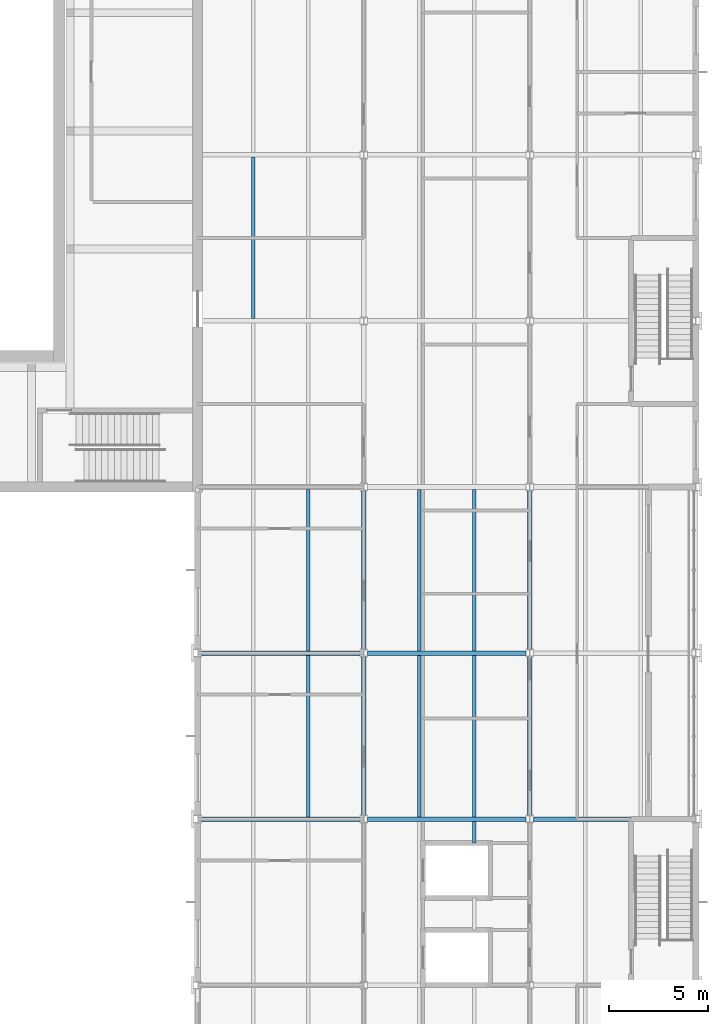
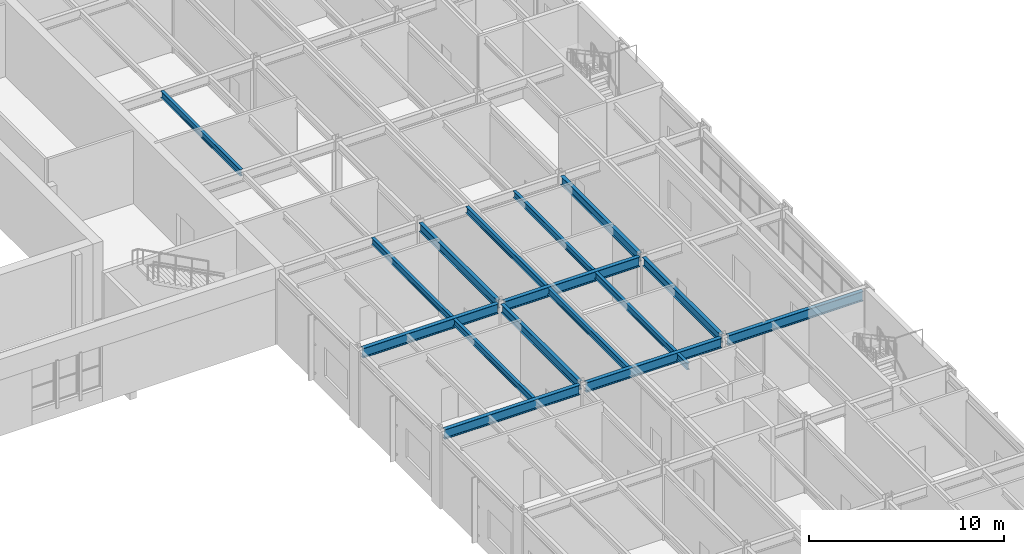
# One storey, part 27 of 127: 17 beams.
"""IFC4 building model written with IfcOpenShell, lengths in metres."""

from ifc_helpers import new_model, si_unit, direction, frame, origin, origin_2d, place, context, subcontext, project, spatial, i_section, extrude, material, material_profile, profile_set, type_object, element, save


model = new_model("IFC4")

# Units and contexts
model_context = context("Model", 3, precision=1e-05, world=origin(), true_north=direction((0.0, 1.0)))
body_context = subcontext(model_context, "Body", "Model", "MODEL_VIEW")
ifc_project = project(units=[si_unit("LENGTHUNIT", "METRE"), si_unit("AREAUNIT", "SQUARE_METRE"), si_unit("VOLUMEUNIT", "CUBIC_METRE"), si_unit("PLANEANGLEUNIT", "RADIAN"), si_unit("MASSUNIT", "GRAM", prefix="KILO")], contexts=[model_context])

# Site, building, storey
site_placement = place(None, origin())
site = spatial("IfcSite", under=ifc_project, at=site_placement, CompositionType="ELEMENT")
building_placement = place(site_placement, origin())
building = spatial("IfcBuilding", under=site, at=building_placement, Name="Ljudholm Concert House", CompositionType="ELEMENT")
storey_placement = place(building_placement, frame((0.0, 0.0, 5.39990234375)))
storey = spatial("IfcBuildingStorey", under=building, at=storey_placement, Name="L01", CompositionType="ELEMENT", Elevation=5.39990234375)

# Beams
ifc_material_1 = material(Name="Steel ASTM A992", Category="steel")
ifc_material_profile_1 = material_profile(ifc_material_1, i_section(OverallWidth=0.177734375, OverallDepth=0.406494140625, WebThickness=0.0078125, FlangeThickness=0.012939453125, FilletRadius=0.01025390625, at=origin_2d()), Name="W16X40")
ifc_profile_set_1 = profile_set([ifc_material_profile_1], Name="Steel ASTM A992")
beam_type_1 = type_object("IfcBeamType", Name="STEEL BEAM W16X40", PredefinedType="BEAM", material=ifc_profile_set_1)
for number, where, z_axis, x_axis, name in (
    (1, (102.0, 37.714599609375, 4.4169921875), (0.0, 1.0, 0.0), (-1.0, 0.0, 0.0), "Beam BOH-L02-sb-102-37.6"),
    (2, (102.0, 46.114501953125, 4.4169921875), (0.0, 1.0, 0.0), (-1.0, 0.0, 0.0), "Beam BOH-L02-sb-102-46"),
    (3, (99.199951171875, 62.91455078125, 4.4169921875), (0.0, 1.0, 0.0), (-1.0, 0.0, 0.0), "Beam BOH-L02-sb-99.2-62.8"),
):
    element("IfcBeam", number, at=place(storey_placement, frame(where, z_axis=z_axis, x_axis=x_axis)), inside=storey, type_object=beam_type_1, Name=name, PredefinedType="BEAM", context=body_context, shape_type="SweptSolid", body=[
        extrude(i_section(OverallWidth=0.177734375, OverallDepth=0.406494140625, WebThickness=0.0078125, FlangeThickness=0.012939453125, FilletRadius=0.01025390625, at=origin_2d()), origin(), (0.0, 0.0, 1.0), 8.1708984375),
    ])
beam_1_placement = place(storey_placement, frame((110.39990234375, 36.39990234375, 4.4169921875), z_axis=(0.0, 1.0, 0.0), x_axis=(-1.0, 0.0, 0.0)))
element("IfcBeam", 4, at=beam_1_placement, inside=storey, type_object=beam_type_1, Name="Beam BOH-L02-sb-110.4-29.2-2", PredefinedType="BEAM", context=body_context, shape_type="SweptSolid", body=[
    extrude(i_section(OverallWidth=0.177734375, OverallDepth=0.406494140625, WebThickness=0.0078125, FlangeThickness=0.012939453125, FilletRadius=0.01025390625, at=origin_2d()), origin(), (0.0, 0.0, 1.0), 1.08544921875),
])
for number, where, z_axis, x_axis, name in (
    (5, (107.60009765625, 37.714599609375, 4.4169921875), (0.0, 1.0, 0.0), (-1.0, 0.0, 0.0), "Beam BOH-L02-sb-107.6-37.6"),
    (6, (110.39990234375, 37.714599609375, 4.4169921875), (0.0, 1.0, 0.0), (-1.0, 0.0, 0.0), "Beam BOH-L02-sb-110.4-37.6"),
    (7, (107.60009765625, 46.114501953125, 4.4169921875), (0.0, 1.0, 0.0), (-1.0, 0.0, 0.0), "Beam BOH-L02-sb-107.6-46"),
    (8, (110.39990234375, 46.114501953125, 4.4169921875), (0.0, 1.0, 0.0), (-1.0, 0.0, 0.0), "Beam BOH-L02-sb-110.4-46"),
):
    element("IfcBeam", number, at=place(storey_placement, frame(where, z_axis=z_axis, x_axis=x_axis)), inside=storey, type_object=beam_type_1, Name=name, PredefinedType="BEAM", context=body_context, shape_type="SweptSolid", body=[
        extrude(i_section(OverallWidth=0.177734375, OverallDepth=0.406494140625, WebThickness=0.0078125, FlangeThickness=0.012939453125, FilletRadius=0.01025390625, at=origin_2d()), origin(), (0.0, 0.0, 1.0), 8.1708984375),
    ])
ifc_material_2 = material(Name="Steel ASTM A992", Category="steel")
ifc_material_profile_2 = material_profile(ifc_material_2, i_section(OverallWidth=0.209228515625, OverallDepth=0.533447265625, WebThickness=0.01025390625, FlangeThickness=0.015625, FilletRadius=0.012939453125, at=origin_2d()), Name="W21X62")
ifc_profile_set_2 = profile_set([ifc_material_profile_2], Name="Steel ASTM A992")
beam_type_2 = type_object("IfcBeamType", Name="STEEL BEAM W21X62", PredefinedType="BEAM", material=ifc_profile_set_2)
for number, where, z_axis, x_axis, name in (
    (9, (104.800048828125, 37.78662109375, 4.353515625), (0.0, 1.0, 0.0), (-1.0, 0.0, 0.0), "Beam BOH-L02-gy-104.8-37.6"),
    (10, (104.800048828125, 46.186767578125, 4.353515625), (0.0, 1.0, 0.0), (-1.0, 0.0, 0.0), "Beam BOH-L02-gy-104.8-46"),
    (11, (113.199951171875, 37.78662109375, 4.353515625), (0.0, 1.0, 0.0), (-1.0, 0.0, 0.0), "Beam BOH-L02-gy-113.2-37.6"),
    (12, (113.199951171875, 46.186767578125, 4.353515625), (0.0, 1.0, 0.0), (-1.0, 0.0, 0.0), "Beam BOH-L02-gy-113.2-46"),
):
    element("IfcBeam", number, at=place(storey_placement, frame(where, z_axis=z_axis, x_axis=x_axis)), inside=storey, type_object=beam_type_2, Name=name, PredefinedType="BEAM", context=body_context, shape_type="SweptSolid", body=[
        extrude(i_section(OverallWidth=0.209228515625, OverallDepth=0.533447265625, WebThickness=0.01025390625, FlangeThickness=0.015625, FilletRadius=0.012939453125, at=origin_2d()), origin(), (0.0, 0.0, 1.0), 8.026611328125),
    ])
ifc_material_3 = material(Name="Steel ASTM A992", Category="steel")
ifc_material_profile_3 = material_profile(ifc_material_3, i_section(OverallWidth=0.22900390625, OverallDepth=0.612060546875, WebThickness=0.011962890625, FlangeThickness=0.01953125, FilletRadius=0.0126953125, at=origin_2d()), Name="W24X84")
ifc_profile_set_3 = profile_set([ifc_material_profile_3], Name="Steel ASTM A992")
beam_type_3 = type_object("IfcBeamType", Name="STEEL BEAM W24X84", PredefinedType="BEAM", material=ifc_profile_set_3)
beam_2_placement = place(storey_placement, frame((96.586669921875, 37.60009765625, 4.31396484375), z_axis=(1.0, 0.0, 0.0), x_axis=(0.0, 1.0, 0.0)))
element("IfcBeam", 13, at=beam_2_placement, inside=storey, type_object=beam_type_3, Name="Beam BOH-L02-gx-96.4-37.6", PredefinedType="BEAM", context=body_context, shape_type="SweptSolid", body=[
    extrude(i_section(OverallWidth=0.22900390625, OverallDepth=0.612060546875, WebThickness=0.011962890625, FlangeThickness=0.01953125, FilletRadius=0.0126953125, at=origin_2d()), origin(), (0.0, 0.0, 1.0), 8.026611328125),
])
beam_3_placement = place(storey_placement, frame((104.986572265625, 37.60009765625, 4.31396484375), z_axis=(1.0, 0.0, 0.0), x_axis=(0.0, 1.0, 0.0)))
element("IfcBeam", 14, at=beam_3_placement, inside=storey, type_object=beam_type_3, Name="Beam BOH-L02-gx-104.8-37.6", PredefinedType="BEAM", context=body_context, shape_type="SweptSolid", body=[
    extrude(i_section(OverallWidth=0.22900390625, OverallDepth=0.612060546875, WebThickness=0.011962890625, FlangeThickness=0.01953125, FilletRadius=0.0126953125, at=origin_2d()), origin(), (0.0, 0.0, 1.0), 8.02685546875),
])
for number, where, z_axis, x_axis, name in (
    (15, (113.38671875, 37.60009765625, 4.31396484375), (1.0, 0.0, 0.0), (0.0, 1.0, 0.0), "Beam BOH-L02-gx-113.2-37.6"),
    (16, (96.586669921875, 46.0, 4.31396484375), (1.0, 0.0, 0.0), (0.0, 1.0, 0.0), "Beam BOH-L02-gx-96.4-46"),
):
    element("IfcBeam", number, at=place(storey_placement, frame(where, z_axis=z_axis, x_axis=x_axis)), inside=storey, type_object=beam_type_3, Name=name, PredefinedType="BEAM", context=body_context, shape_type="SweptSolid", body=[
        extrude(i_section(OverallWidth=0.22900390625, OverallDepth=0.612060546875, WebThickness=0.011962890625, FlangeThickness=0.01953125, FilletRadius=0.0126953125, at=origin_2d()), origin(), (0.0, 0.0, 1.0), 8.026611328125),
    ])
beam_4_placement = place(storey_placement, frame((104.986572265625, 46.0, 4.31396484375), z_axis=(1.0, 0.0, 0.0), x_axis=(0.0, 1.0, 0.0)))
element("IfcBeam", 17, at=beam_4_placement, inside=storey, type_object=beam_type_3, Name="Beam BOH-L02-gx-104.8-46", PredefinedType="BEAM", context=body_context, shape_type="SweptSolid", body=[
    extrude(i_section(OverallWidth=0.22900390625, OverallDepth=0.612060546875, WebThickness=0.011962890625, FlangeThickness=0.01953125, FilletRadius=0.0126953125, at=origin_2d()), origin(), (0.0, 0.0, 1.0), 8.02685546875),
])

save(model, "model.ifc")
